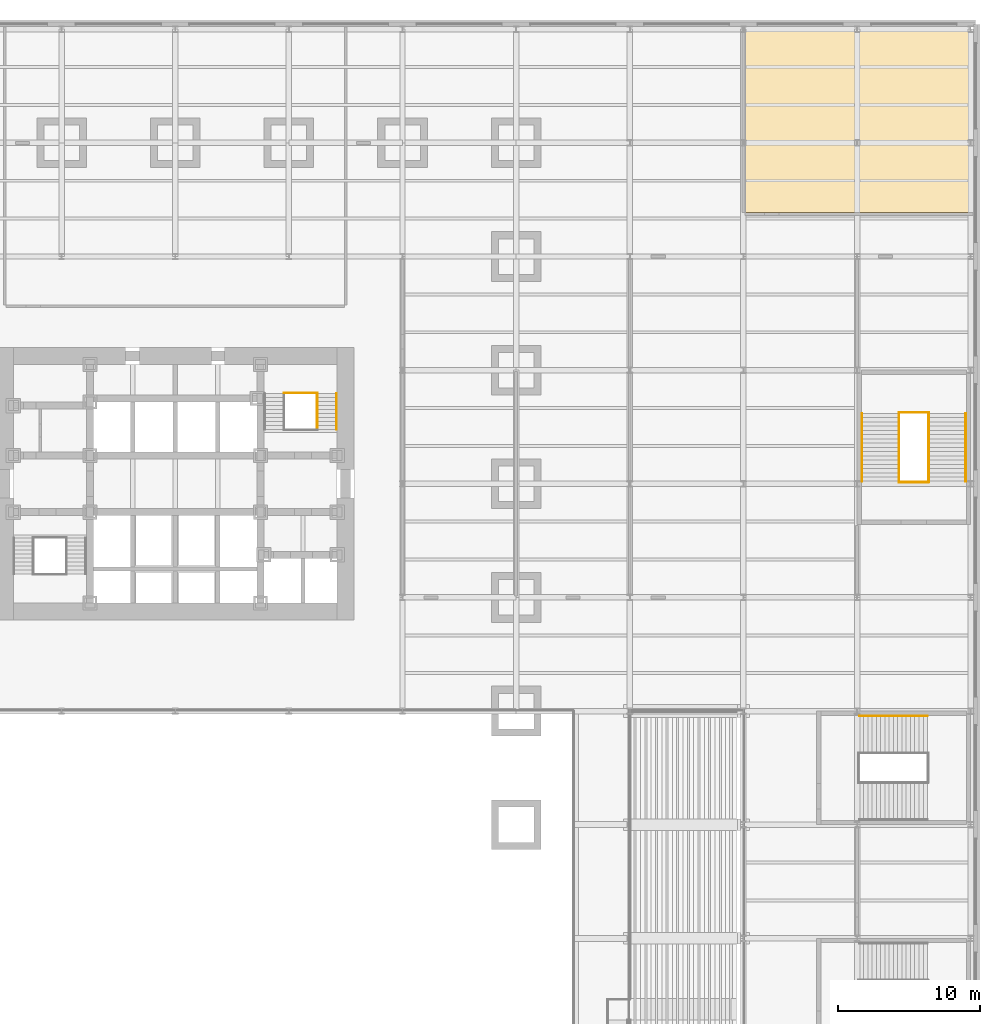
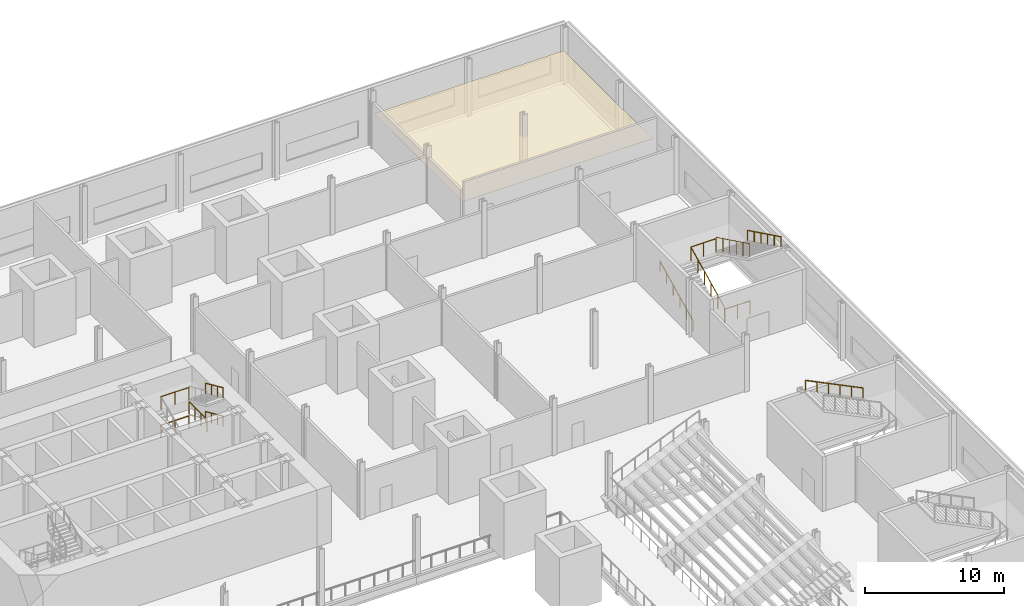
# One storey, part 27 of 27: 12 railings, 1 covering.
"""IFC4 building model written with IfcOpenShell, lengths in metres."""

from ifc_helpers import new_model, si_unit, direction, frame, origin, origin_2d, place, context, subcontext, project, spatial, polyline, circle, outline, extrude, material, layer, layer_set, type_object, element, save


model = new_model("IFC4")

# Units and contexts
model_context = context("Model", 3, precision=1e-05, world=origin(), true_north=direction((0.0, 1.0)))
body_context = subcontext(model_context, "Body", "Model", "MODEL_VIEW")
ifc_project = project(units=[si_unit("LENGTHUNIT", "METRE"), si_unit("AREAUNIT", "SQUARE_METRE"), si_unit("VOLUMEUNIT", "CUBIC_METRE"), si_unit("PLANEANGLEUNIT", "RADIAN"), si_unit("MASSUNIT", "GRAM", prefix="KILO")], contexts=[model_context])

# Site, building, storey
site_placement = place(None, origin())
site = spatial("IfcSite", under=ifc_project, at=site_placement, CompositionType="ELEMENT")
building_placement = place(site_placement, origin())
building = spatial("IfcBuilding", under=site, at=building_placement, Name="Daluyong Arena Tower", CompositionType="ELEMENT")
storey_placement = place(building_placement, frame((0.0, 0.0, 14.89990234375)))
storey = spatial("IfcBuildingStorey", under=building, at=storey_placement, Name="L03", CompositionType="ELEMENT", Elevation=14.89990234375)

# Covering
ifc_material_1 = material(Name="Mineral fibre ceiling tile", Category="gypsum board")
ifc_layer = layer(ifc_material_1, 0.02001953125)
ifc_layer_set = layer_set([ifc_layer], Name="Mineral fibre ceiling tile")
covering_type = type_object("IfcCoveringType", Name="Office ceiling", PredefinedType="CEILING", material=ifc_layer_set)
covering_placement = place(storey_placement, frame((0.0, 0.0, 2.900146484375)))
element("IfcCovering", 1, at=covering_placement, inside=storey, type_object=covering_type, Name="ceiling L03-16", PredefinedType="CEILING", context=body_context, shape_type="SweptSolid", body=[
    extrude(outline(polyline([(111.89990234375, 99.10009765625), (111.89990234375, 111.89990234375), (96.10009765625, 111.89990234375), (96.10009765625, 99.10009765625), (111.89990234375, 99.10009765625)])), origin(), (0.0, 0.0, 1.0), 0.02001953125),
])

# Railings
ifc_material_2 = material(Name="Stainless steel handrail", Category="steel")
railing_type_1 = type_object("IfcRailingType", Name="Stair handrail", PredefinedType="HANDRAIL", material=ifc_material_2)
for number, where, name in (
    (2, (67.35009765625, 86.344970703125, 1.375), "exit stair B handrail L03"),
    (3, (67.35009765625, 86.344970703125, 3.875), "exit stair B handrail L03"),
):
    element("IfcRailing", number, at=place(storey_placement, frame(where)), inside=storey, type_object=railing_type_1, Name=name, PredefinedType="HANDRAIL", context=body_context, shape_type="SweptSolid", body=[
        extrude(circle(Radius=0.02392578125, at=origin_2d()), frame((0.0, 0.0, 0.8759765625), z_axis=(0.0, -0.913139058521, 0.407648205936), x_axis=(1.0, 0.0, 0.0)), (0.0, 0.0, 1.0), 2.759765625),
        extrude(circle(Radius=0.02099609375, at=origin_2d()), origin(), (0.0, 0.0, 1.0), 0.851806640625),
        extrude(circle(Radius=0.02099609375, at=origin_2d()), frame((0.0, -0.840087890625, 0.375)), (0.0, 0.0, 1.0), 0.851806640625),
        extrude(circle(Radius=0.02099609375, at=origin_2d()), frame((0.0, -1.679931640625, 0.75)), (0.0, 0.0, 1.0), 0.851806640625),
        extrude(circle(Radius=0.02099609375, at=origin_2d()), frame((0.0, -2.52001953125, 1.125)), (0.0, 0.0, 1.0), 0.851806640625),
    ])
railing_1_placement = place(storey_placement, frame((104.35009765625, 80.159912109375, 0.147216796875)))
element("IfcRailing", 4, at=railing_1_placement, inside=storey, type_object=railing_type_1, Name="exit stair PS6 handrail L03", PredefinedType="HANDRAIL", context=body_context, shape_type="SweptSolid", body=[
    extrude(circle(Radius=0.02392578125, at=origin_2d()), frame((0.0, 0.0, 0.8759765625), z_axis=(0.0, 0.89793417156, 0.440129780343), x_axis=(-1.0, 0.0, 0.0)), (0.0, 0.0, 1.0), 5.345703125),
    extrude(circle(Radius=0.02099609375, at=origin_2d()), origin(), (0.0, 0.0, 1.0), 0.851806640625),
    extrude(circle(Radius=0.02099609375, at=origin_2d()), frame((0.0, 0.9599609375, 0.470458984375)), (0.0, 0.0, 1.0), 0.851806640625),
    extrude(circle(Radius=0.02099609375, at=origin_2d()), frame((0.0, 1.919921875, 0.941162109375)), (0.0, 0.0, 1.0), 0.851806640625),
    extrude(circle(Radius=0.02099609375, at=origin_2d()), frame((0.0, 2.880126953125, 1.41162109375)), (0.0, 0.0, 1.0), 0.851806640625),
    extrude(circle(Radius=0.02099609375, at=origin_2d()), frame((0.0, 3.840087890625, 1.88232421875)), (0.0, 0.0, 1.0), 0.851806640625),
    extrude(circle(Radius=0.02099609375, at=origin_2d()), frame((0.0, 4.800048828125, 2.352783203125)), (0.0, 0.0, 1.0), 0.851806640625),
])
railing_2_placement = place(storey_placement, frame((111.64990234375, 84.9599609375, 2.647216796875)))
element("IfcRailing", 5, at=railing_2_placement, inside=storey, type_object=railing_type_1, Name="exit stair PS6 handrail L03", PredefinedType="HANDRAIL", context=body_context, shape_type="SweptSolid", body=[
    extrude(circle(Radius=0.02392578125, at=origin_2d()), frame((0.0, 0.0, 0.8759765625), z_axis=(0.0, -0.89793417156, 0.440129780343), x_axis=(1.0, 0.0, 0.0)), (0.0, 0.0, 1.0), 5.345703125),
    extrude(circle(Radius=0.02099609375, at=origin_2d()), origin(), (0.0, 0.0, 1.0), 0.851806640625),
    extrude(circle(Radius=0.02099609375, at=origin_2d()), frame((0.0, -0.9599609375, 0.470458984375)), (0.0, 0.0, 1.0), 0.851806640625),
    extrude(circle(Radius=0.02099609375, at=origin_2d()), frame((0.0, -1.919921875, 0.941162109375)), (0.0, 0.0, 1.0), 0.851806640625),
    extrude(circle(Radius=0.02099609375, at=origin_2d()), frame((0.0, -2.880126953125, 1.41162109375)), (0.0, 0.0, 1.0), 0.851806640625),
    extrude(circle(Radius=0.02099609375, at=origin_2d()), frame((0.0, -3.840087890625, 1.88232421875)), (0.0, 0.0, 1.0), 0.851806640625),
    extrude(circle(Radius=0.02099609375, at=origin_2d()), frame((0.0, -4.800048828125, 2.352783203125)), (0.0, 0.0, 1.0), 0.851806640625),
])
railing_3_placement = place(storey_placement, frame((108.9599609375, 63.64990234375, 2.647216796875)))
element("IfcRailing", 6, at=railing_3_placement, inside=storey, type_object=railing_type_1, Name="exit stair PS8 handrail L03", PredefinedType="HANDRAIL", context=body_context, shape_type="SweptSolid", body=[
    extrude(circle(Radius=0.02392578125, at=origin_2d()), frame((0.0, 0.0, 0.8759765625), z_axis=(-0.89793417156, 0.0, 0.440129780343), x_axis=(0.0, -1.0, 0.0)), (0.0, 0.0, 1.0), 5.345703125),
    extrude(circle(Radius=0.02099609375, at=origin_2d()), origin(), (0.0, 0.0, 1.0), 0.851806640625),
    extrude(circle(Radius=0.02099609375, at=origin_2d()), frame((-0.9599609375, 0.0, 0.470458984375)), (0.0, 0.0, 1.0), 0.851806640625),
    extrude(circle(Radius=0.02099609375, at=origin_2d()), frame((-1.919921875, 0.0, 0.941162109375)), (0.0, 0.0, 1.0), 0.851806640625),
    extrude(circle(Radius=0.02099609375, at=origin_2d()), frame((-2.880126953125, 0.0, 1.41162109375)), (0.0, 0.0, 1.0), 0.851806640625),
    extrude(circle(Radius=0.02099609375, at=origin_2d()), frame((-3.840087890625, 0.0, 1.88232421875)), (0.0, 0.0, 1.0), 0.851806640625),
    extrude(circle(Radius=0.02099609375, at=origin_2d()), frame((-4.800048828125, 0.0, 2.352783203125)), (0.0, 0.0, 1.0), 0.851806640625),
])
ifc_material_3 = material(Name="Steel balustrade", Category="steel")
railing_type_2 = type_object("IfcRailingType", Name="Stair well guard 1100", PredefinedType="GUARDRAIL", material=ifc_material_3)
for number, where, name in (
    (7, (63.64990234375, 86.39501953125, 1.25), "exit stair B landing guard L03"),
    (8, (63.64990234375, 86.39501953125, 3.75), "exit stair B landing guard L03"),
):
    element("IfcRailing", number, at=place(storey_placement, frame(where)), inside=storey, type_object=railing_type_2, Name=name, PredefinedType="GUARDRAIL", context=body_context, shape_type="SweptSolid", body=[
        extrude(circle(Radius=0.02392578125, at=origin_2d()), frame((0.0, 0.0, 1.076171875), z_axis=(1.0, 0.0, 0.0), x_axis=(0.0, 1.0, 0.0)), (0.0, 0.0, 1.0), 2.35009765625),
        extrude(circle(Radius=0.02099609375, at=origin_2d()), origin(), (0.0, 0.0, 1.0), 1.052001953125),
        extrude(circle(Radius=0.02099609375, at=origin_2d()), frame((1.175048828125, 0.0, 0.0)), (0.0, 0.0, 1.0), 1.052001953125),
        extrude(circle(Radius=0.02099609375, at=origin_2d()), frame((2.35009765625, 0.0, 0.0)), (0.0, 0.0, 1.0), 1.052001953125),
    ])
railing_4_placement = place(storey_placement, frame((66.0, 86.39501953125, 2.5)))
element("IfcRailing", 9, at=railing_4_placement, inside=storey, type_object=railing_type_2, Name="exit stair B landing guard L03", PredefinedType="GUARDRAIL", context=body_context, shape_type="SweptSolid", body=[
    extrude(circle(Radius=0.02392578125, at=origin_2d()), frame((0.0, 0.0, 1.076171875), z_axis=(0.0, -1.0, 0.0), x_axis=(1.0, 0.0, 0.0)), (0.0, 0.0, 1.0), 2.570068359375),
    extrude(circle(Radius=0.02099609375, at=origin_2d()), origin(), (0.0, 0.0, 1.0), 1.052001953125),
    extrude(circle(Radius=0.02099609375, at=origin_2d()), frame((0.0, -0.856689453125, 0.0)), (0.0, 0.0, 1.0), 1.052001953125),
    extrude(circle(Radius=0.02099609375, at=origin_2d()), frame((0.0, -1.71337890625, 0.0)), (0.0, 0.0, 1.0), 1.052001953125),
    extrude(circle(Radius=0.02099609375, at=origin_2d()), frame((0.0, -2.570068359375, 0.0)), (0.0, 0.0, 1.0), 1.052001953125),
])
ifc_material_4 = material(Name="Steel balustrade", Category="steel")
railing_type_3 = type_object("IfcRailingType", Name="Stair well guard 1200", PredefinedType="GUARDRAIL", material=ifc_material_4)
railing_5_placement = place(storey_placement, frame((106.949951171875, 80.159912109375, 0.147216796875)))
element("IfcRailing", 10, at=railing_5_placement, inside=storey, type_object=railing_type_3, Name="exit stair PS6 well guard L03", PredefinedType="GUARDRAIL", context=body_context, shape_type="SweptSolid", body=[
    extrude(circle(Radius=0.02392578125, at=origin_2d()), frame((0.0, 0.0, 1.17578125), z_axis=(0.0, 0.89793417156, 0.440129780343), x_axis=(-1.0, 0.0, 0.0)), (0.0, 0.0, 1.0), 5.345703125),
    extrude(circle(Radius=0.02099609375, at=origin_2d()), origin(), (0.0, 0.0, 1.0), 1.15185546875),
    extrude(circle(Radius=0.02099609375, at=origin_2d()), frame((0.0, 0.9599609375, 0.470458984375)), (0.0, 0.0, 1.0), 1.15185546875),
    extrude(circle(Radius=0.02099609375, at=origin_2d()), frame((0.0, 1.919921875, 0.941162109375)), (0.0, 0.0, 1.0), 1.15185546875),
    extrude(circle(Radius=0.02099609375, at=origin_2d()), frame((0.0, 2.880126953125, 1.41162109375)), (0.0, 0.0, 1.0), 1.15185546875),
    extrude(circle(Radius=0.02099609375, at=origin_2d()), frame((0.0, 3.840087890625, 1.88232421875)), (0.0, 0.0, 1.0), 1.15185546875),
    extrude(circle(Radius=0.02099609375, at=origin_2d()), frame((0.0, 4.800048828125, 2.352783203125)), (0.0, 0.0, 1.0), 1.15185546875),
])
railing_6_placement = place(storey_placement, frame((109.050048828125, 84.9599609375, 2.647216796875)))
element("IfcRailing", 11, at=railing_6_placement, inside=storey, type_object=railing_type_3, Name="exit stair PS6 well guard L03", PredefinedType="GUARDRAIL", context=body_context, shape_type="SweptSolid", body=[
    extrude(circle(Radius=0.02392578125, at=origin_2d()), frame((0.0, 0.0, 1.17578125), z_axis=(0.0, -0.89793417156, 0.440129780343), x_axis=(1.0, 0.0, 0.0)), (0.0, 0.0, 1.0), 5.345703125),
    extrude(circle(Radius=0.02099609375, at=origin_2d()), origin(), (0.0, 0.0, 1.0), 1.15185546875),
    extrude(circle(Radius=0.02099609375, at=origin_2d()), frame((0.0, -0.9599609375, 0.470458984375)), (0.0, 0.0, 1.0), 1.15185546875),
    extrude(circle(Radius=0.02099609375, at=origin_2d()), frame((0.0, -1.919921875, 0.941162109375)), (0.0, 0.0, 1.0), 1.15185546875),
    extrude(circle(Radius=0.02099609375, at=origin_2d()), frame((0.0, -2.880126953125, 1.41162109375)), (0.0, 0.0, 1.0), 1.15185546875),
    extrude(circle(Radius=0.02099609375, at=origin_2d()), frame((0.0, -3.840087890625, 1.88232421875)), (0.0, 0.0, 1.0), 1.15185546875),
    extrude(circle(Radius=0.02099609375, at=origin_2d()), frame((0.0, -4.800048828125, 2.352783203125)), (0.0, 0.0, 1.0), 1.15185546875),
])
for number, where, name in (
    (12, (106.949951171875, 85.010009765625, 2.5), "exit stair PS6 landing guard L03"),
    (13, (106.949951171875, 80.110107421875, 0.0), "exit stair PS6 floor landing guard L03"),
):
    element("IfcRailing", number, at=place(storey_placement, frame(where)), inside=storey, type_object=railing_type_3, Name=name, PredefinedType="GUARDRAIL", context=body_context, shape_type="SweptSolid", body=[
        extrude(circle(Radius=0.02392578125, at=origin_2d()), frame((0.0, 0.0, 1.17578125), z_axis=(1.0, 0.0, 0.0), x_axis=(0.0, 1.0, 0.0)), (0.0, 0.0, 1.0), 2.10009765625),
        extrude(circle(Radius=0.02099609375, at=origin_2d()), origin(), (0.0, 0.0, 1.0), 1.15185546875),
        extrude(circle(Radius=0.02099609375, at=origin_2d()), frame((1.050048828125, 0.0, 0.0)), (0.0, 0.0, 1.0), 1.15185546875),
        extrude(circle(Radius=0.02099609375, at=origin_2d()), frame((2.10009765625, 0.0, 0.0)), (0.0, 0.0, 1.0), 1.15185546875),
    ])

save(model, "model.ifc")
